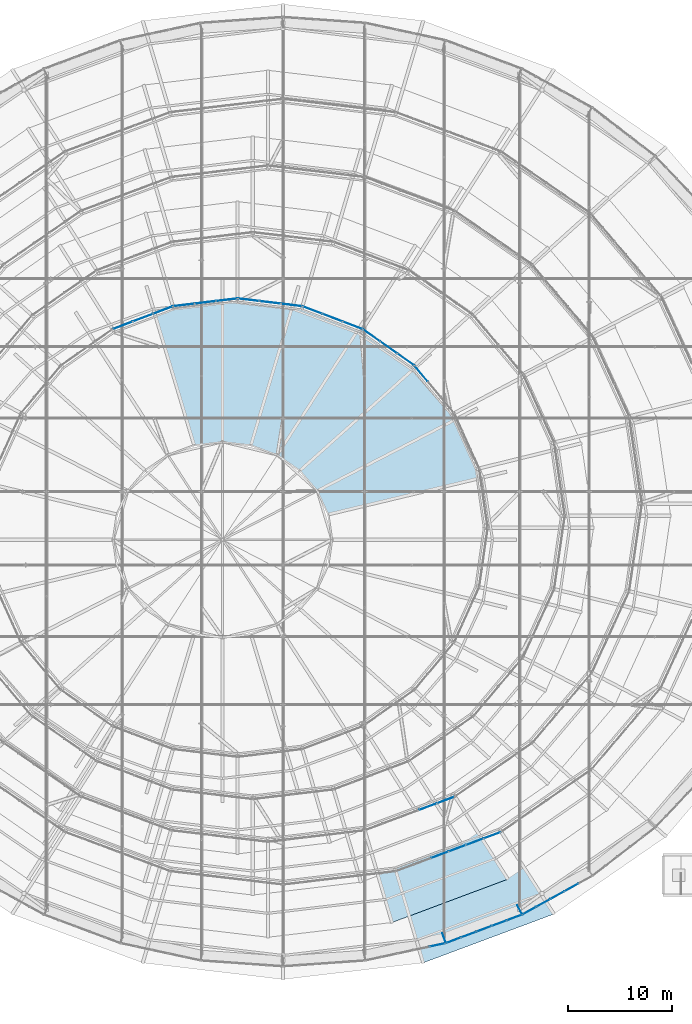
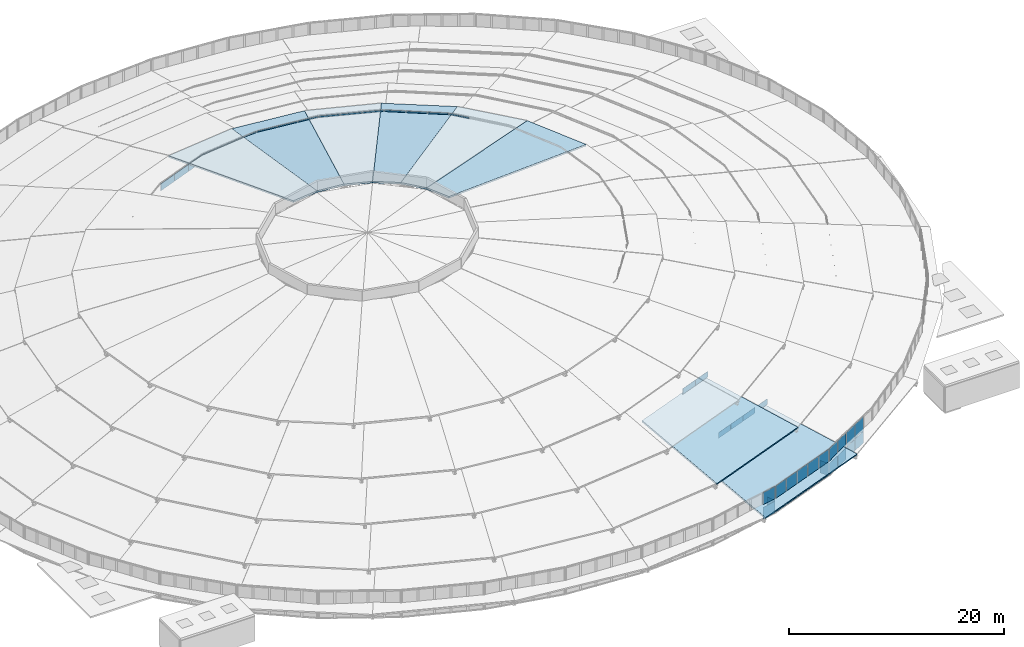
# One storey, part 149 of 173: 44 plates, 8 slabs, 14 elements without a shape of their own.
"""IFC4 building model written with IfcOpenShell, lengths in metres."""

from ifc_helpers import new_model, si_unit, direction, frame, origin, origin_2d, place, context, subcontext, project, spatial, polyline, rectangle, outline, extrude, material, layer, layer_set, type_object, element, aggregate, save


model = new_model("IFC4")

# Units and contexts
model_context = context("Model", 3, precision=1e-05, world=origin(), true_north=direction((0.0, 1.0)))
body_context = subcontext(model_context, "Body", "Model", "MODEL_VIEW")
ifc_project = project(units=[si_unit("LENGTHUNIT", "METRE"), si_unit("AREAUNIT", "SQUARE_METRE"), si_unit("VOLUMEUNIT", "CUBIC_METRE"), si_unit("PLANEANGLEUNIT", "RADIAN"), si_unit("MASSUNIT", "GRAM", prefix="KILO")], contexts=[model_context])

# Site, building, storey
site_placement = place(None, origin())
site = spatial("IfcSite", under=ifc_project, at=site_placement, CompositionType="ELEMENT")
building_placement = place(site_placement, origin())
building = spatial("IfcBuilding", under=site, at=building_placement, Name="Glasvene Arena", CompositionType="ELEMENT")
storey_placement = place(building_placement, frame((0.0, 0.0, 28.800048828125)))
storey = spatial("IfcBuildingStorey", under=building, at=storey_placement, Name="RF", CompositionType="ELEMENT", Elevation=28.800048828125)

# Curtain wall, plates
ifc_material_1 = material(Name="Low-emissivity laminated double glazing", Category="glass")
curtain_wall_type_1 = type_object("IfcCurtainWallType", Name="CW-PET1-1077x75", PredefinedType="USERDEFINED", material=ifc_material_1)
curtain_wall_1_placement = place(storey_placement, frame((102.83154296875, 36.584716796875, 0.0)))
curtain_wall_1 = element("IfcCurtainWall", 1, at=curtain_wall_1_placement, inside=storey, type_object=curtain_wall_type_1, Name="Petal ring 1-2 clerestory curtain wall 20", ObjectType="CURTAIN WALL", PredefinedType="USERDEFINED")
ifc_layer_1 = layer(ifc_material_1, 0.028076171875)
ifc_layer_set_1 = layer_set([ifc_layer_1], Name="Low-emissivity laminated double glazing")
plate_type_1 = type_object("IfcPlateType", Name="CW-GLZ-28", PredefinedType="CURTAIN_PANEL", material=ifc_layer_set_1)
plate_1_placement = place(storey_placement, frame((107.037109375, 38.15380859375, 2.6298828125), z_axis=(0.0, 0.0, 1.0), x_axis=(0.936902411354, 0.349591006176, 0.0)))
plate_1 = element("IfcPlate", 2, at=plate_1_placement, type_object=plate_type_1, Name="CW-085 panel 3.1", PredefinedType="CURTAIN_PANEL", context=body_context, shape_type="SweptSolid", body=[
    extrude(rectangle(XDim=1.74560546875, YDim=0.028076171875, at=origin_2d()), origin(), (0.0, 0.0, 1.0), 0.64990234375),
])
plate_2_placement = place(storey_placement, frame((108.719482421875, 38.781494140625, 2.6298828125), z_axis=(0.0, 0.0, 1.0), x_axis=(0.936902411354, 0.349591006176, 0.0)))
plate_2 = element("IfcPlate", 3, at=plate_2_placement, type_object=plate_type_1, Name="CW-085 panel 4.1", PredefinedType="CURTAIN_PANEL", context=body_context, shape_type="SweptSolid", body=[
    extrude(rectangle(XDim=1.74560546875, YDim=0.028076171875, at=origin_2d()), origin(), (0.0, 0.0, 1.0), 0.64990234375),
])
plate_3_placement = place(storey_placement, frame((110.401611328125, 39.4091796875, 2.6298828125), z_axis=(0.0, 0.0, 1.0), x_axis=(0.936902411354, 0.349591006176, 0.0)))
plate_3 = element("IfcPlate", 4, at=plate_3_placement, type_object=plate_type_1, Name="CW-085 panel 5.1", PredefinedType="CURTAIN_PANEL", context=body_context, shape_type="SweptSolid", body=[
    extrude(rectangle(XDim=1.74560546875, YDim=0.028076171875, at=origin_2d()), origin(), (0.0, 0.0, 1.0), 0.64990234375),
])
plate_4_placement = place(storey_placement, frame((112.072265625, 40.032470703125, 2.6298828125), z_axis=(0.0, 0.0, 1.0), x_axis=(0.936902411354, 0.349591006176, 0.0)))
plate_4 = element("IfcPlate", 5, at=plate_4_placement, type_object=plate_type_1, Name="CW-085 panel 6.1", PredefinedType="CURTAIN_PANEL", context=body_context, shape_type="SweptSolid", body=[
    extrude(rectangle(XDim=1.720458984375, YDim=0.028076171875, at=origin_2d()), origin(), (0.0, 0.0, 1.0), 0.64990234375),
])
aggregate(curtain_wall_1, [plate_1, plate_2, plate_3, plate_4])

curtain_wall_type_2 = type_object("IfcCurtainWallType", Name="CW-PET2-925x75", PredefinedType="USERDEFINED", material=ifc_material_1)
curtain_wall_2_placement = place(storey_placement, frame((99.841552734375, 40.505615234375, 0.0)))
curtain_wall_2 = element("IfcCurtainWall", 6, at=curtain_wall_2_placement, inside=storey, type_object=curtain_wall_type_2, Name="Petal ring 2-3 clerestory curtain wall 20", ObjectType="CURTAIN WALL", PredefinedType="USERDEFINED")
plate_5_placement = place(storey_placement, frame((105.902587890625, 42.77490234375, 5.22998046875), z_axis=(0.0, 0.0, 1.0), x_axis=(0.936510409342, 0.350639776971, 0.0)))
plate_5 = element("IfcPlate", 7, at=plate_5_placement, type_object=plate_type_1, Name="CW-091 panel 4.1", PredefinedType="CURTAIN_PANEL", context=body_context, shape_type="SweptSolid", body=[
    extrude(rectangle(XDim=1.799072265625, YDim=0.028076171875, at=origin_2d()), origin(), (0.0, 0.0, 1.0), 0.64990234375),
])
plate_6_placement = place(storey_placement, frame((107.62255859375, 43.4189453125, 5.22998046875), z_axis=(0.0, 0.0, 1.0), x_axis=(0.936510409342, 0.350639776971, 0.0)))
plate_6 = element("IfcPlate", 8, at=plate_6_placement, type_object=plate_type_1, Name="CW-091 panel 5.1", PredefinedType="CURTAIN_PANEL", context=body_context, shape_type="SweptSolid", body=[
    extrude(rectangle(XDim=1.774169921875, YDim=0.028076171875, at=origin_2d()), origin(), (0.0, 0.0, 1.0), 0.64990234375),
])
aggregate(curtain_wall_2, [plate_5, plate_6])

# Curtain wall, plate
curtain_wall_type_3 = type_object("IfcCurtainWallType", Name="CW-PET4-594x92", PredefinedType="USERDEFINED", material=ifc_material_1)
curtain_wall_3_placement = place(storey_placement, frame((108.4345703125, 80.550048828125, 0.0)))
curtain_wall_3 = element("IfcCurtainWall", 9, at=curtain_wall_3_placement, inside=storey, type_object=curtain_wall_type_3, Name="Petal ring 4-5 clerestory curtain wall 03", ObjectType="CURTAIN WALL", PredefinedType="USERDEFINED")
plate_7_placement = place(storey_placement, frame((105.264404296875, 84.33740234375, 10.580078125), z_axis=(0.0, 0.0, 1.0), x_axis=(-0.64187958935, 0.766805446496, 0.0)))
plate_7 = element("IfcPlate", 10, at=plate_7_placement, type_object=plate_type_1, Name="CW-101 panel 3.1", PredefinedType="CURTAIN_PANEL", context=body_context, shape_type="SweptSolid", body=[
    extrude(rectangle(XDim=1.90576171875, YDim=0.028076171875, at=origin_2d()), origin(), (0.0, 0.0, 1.0), 0.81591796875),
])
aggregate(curtain_wall_3, [plate_7])

# Curtain wall, plates
curtain_wall_type_4 = type_object("IfcCurtainWallType", Name="CW-PET4-608x92", PredefinedType="USERDEFINED", material=ifc_material_1)
curtain_wall_4_placement = place(storey_placement, frame((104.62060546875, 85.106201171875, 0.0)))
curtain_wall_4 = element("IfcCurtainWall", 11, at=curtain_wall_4_placement, inside=storey, type_object=curtain_wall_type_4, Name="Petal ring 4-5 clerestory curtain wall 04", ObjectType="CURTAIN WALL", PredefinedType="USERDEFINED")
plate_8_placement = place(storey_placement, frame((103.781982421875, 85.6962890625, 10.580078125), z_axis=(0.0, 0.0, 1.0), x_axis=(-0.817924864707, 0.575325052204, 0.0)))
plate_8 = element("IfcPlate", 12, at=plate_8_placement, type_object=plate_type_1, Name="CW-102 panel 1.1", PredefinedType="CURTAIN_PANEL", context=body_context, shape_type="SweptSolid", body=[
    extrude(rectangle(XDim=1.95068359375, YDim=0.028076171875, at=origin_2d()), origin(), (0.0, 0.0, 1.0), 0.81591796875),
])
plate_9_placement = place(storey_placement, frame((102.13525390625, 86.8544921875, 10.580078125), z_axis=(0.0, 0.0, 1.0), x_axis=(-0.817924864707, 0.575325052204, 0.0)))
plate_9 = element("IfcPlate", 13, at=plate_9_placement, type_object=plate_type_1, Name="CW-102 panel 2.1", PredefinedType="CURTAIN_PANEL", context=body_context, shape_type="SweptSolid", body=[
    extrude(rectangle(XDim=1.9755859375, YDim=0.028076171875, at=origin_2d()), origin(), (0.0, 0.0, 1.0), 0.81591796875),
])
plate_10_placement = place(storey_placement, frame((100.48876953125, 88.0126953125, 10.580078125), z_axis=(0.0, 0.0, 1.0), x_axis=(-0.817924864707, 0.575325052204, 0.0)))
plate_10 = element("IfcPlate", 14, at=plate_10_placement, type_object=plate_type_1, Name="CW-102 panel 3.1", PredefinedType="CURTAIN_PANEL", context=body_context, shape_type="SweptSolid", body=[
    extrude(rectangle(XDim=1.95068359375, YDim=0.028076171875, at=origin_2d()), origin(), (0.0, 0.0, 1.0), 0.81591796875),
])
aggregate(curtain_wall_4, [plate_8, plate_9, plate_10])

curtain_wall_type_5 = type_object("IfcCurtainWallType", Name="CW-PET4-619x92", PredefinedType="USERDEFINED", material=ifc_material_1)
curtain_wall_5_placement = place(storey_placement, frame((99.64990234375, 88.6025390625, 0.0)))
curtain_wall_5 = element("IfcCurtainWall", 15, at=curtain_wall_5_placement, inside=storey, type_object=curtain_wall_type_5, Name="Petal ring 4-5 clerestory curtain wall 05", ObjectType="CURTAIN WALL", PredefinedType="USERDEFINED")
plate_11_placement = place(storey_placement, frame((98.673583984375, 88.973388671875, 10.580078125), z_axis=(0.0, 0.0, 1.0), x_axis=(-0.934877615197, 0.354970202415, 0.0)))
plate_11 = element("IfcPlate", 16, at=plate_11_placement, type_object=plate_type_1, Name="CW-103 panel 1.1", PredefinedType="CURTAIN_PANEL", context=body_context, shape_type="SweptSolid", body=[
    extrude(rectangle(XDim=1.98876953125, YDim=0.028076171875, at=origin_2d()), origin(), (0.0, 0.0, 1.0), 0.81591796875),
])
plate_12_placement = place(storey_placement, frame((96.755859375, 89.701416015625, 10.580078125), z_axis=(0.0, 0.0, 1.0), x_axis=(-0.934877615197, 0.354970202415, 0.0)))
plate_12 = element("IfcPlate", 17, at=plate_12_placement, type_object=plate_type_1, Name="CW-103 panel 2.1", PredefinedType="CURTAIN_PANEL", context=body_context, shape_type="SweptSolid", body=[
    extrude(rectangle(XDim=2.013916015625, YDim=0.028076171875, at=origin_2d()), origin(), (0.0, 0.0, 1.0), 0.81591796875),
])
plate_13_placement = place(storey_placement, frame((94.838134765625, 90.4296875, 10.580078125), z_axis=(0.0, 0.0, 1.0), x_axis=(-0.934877615197, 0.354970202415, 0.0)))
plate_13 = element("IfcPlate", 18, at=plate_13_placement, type_object=plate_type_1, Name="CW-103 panel 3.1", PredefinedType="CURTAIN_PANEL", context=body_context, shape_type="SweptSolid", body=[
    extrude(rectangle(XDim=1.98876953125, YDim=0.028076171875, at=origin_2d()), origin(), (0.0, 0.0, 1.0), 0.81591796875),
])
aggregate(curtain_wall_5, [plate_11, plate_12, plate_13])

curtain_wall_type_6 = type_object("IfcCurtainWallType", Name="CW-PET4-626x92", PredefinedType="USERDEFINED", material=ifc_material_1)
curtain_wall_6_placement = place(storey_placement, frame((93.86181640625, 90.80029296875, 0.0)))
curtain_wall_6 = element("IfcCurtainWall", 19, at=curtain_wall_6_placement, inside=storey, type_object=curtain_wall_type_6, Name="Petal ring 4-5 clerestory curtain wall 06", ObjectType="CURTAIN WALL", PredefinedType="USERDEFINED")
plate_14_placement = place(storey_placement, frame((92.81396484375, 90.9267578125, 10.580078125), z_axis=(0.0, 0.0, 1.0), x_axis=(-0.992797284705, 0.119806308194, 0.0)))
plate_14 = element("IfcPlate", 20, at=plate_14_placement, type_object=plate_type_1, Name="CW-104 panel 1.1", PredefinedType="CURTAIN_PANEL", context=body_context, shape_type="SweptSolid", body=[
    extrude(rectangle(XDim=2.010498046875, YDim=0.028076171875, at=origin_2d()), origin(), (0.0, 0.0, 1.0), 0.81591796875),
])
plate_15_placement = place(storey_placement, frame((90.755859375, 91.17529296875, 10.580078125), z_axis=(0.0, 0.0, 1.0), x_axis=(-0.992797284705, 0.119806308194, 0.0)))
plate_15 = element("IfcPlate", 21, at=plate_15_placement, type_object=plate_type_1, Name="CW-104 panel 2.1", PredefinedType="CURTAIN_PANEL", context=body_context, shape_type="SweptSolid", body=[
    extrude(rectangle(XDim=2.03564453125, YDim=0.028076171875, at=origin_2d()), origin(), (0.0, 0.0, 1.0), 0.81591796875),
])
plate_16_placement = place(storey_placement, frame((88.69775390625, 91.423583984375, 10.580078125), z_axis=(0.0, 0.0, 1.0), x_axis=(-0.992797284705, 0.119806308194, 0.0)))
plate_16 = element("IfcPlate", 22, at=plate_16_placement, type_object=plate_type_1, Name="CW-104 panel 3.1", PredefinedType="CURTAIN_PANEL", context=body_context, shape_type="SweptSolid", body=[
    extrude(rectangle(XDim=2.010498046875, YDim=0.028076171875, at=origin_2d()), origin(), (0.0, 0.0, 1.0), 0.81591796875),
])
aggregate(curtain_wall_6, [plate_14, plate_15, plate_16])

curtain_wall_7_placement = place(storey_placement, frame((87.64990234375, 91.550048828125, 0.0)))
curtain_wall_7 = element("IfcCurtainWall", 23, at=curtain_wall_7_placement, inside=storey, type_object=curtain_wall_type_6, Name="Petal ring 4-5 clerestory curtain wall 07", ObjectType="CURTAIN WALL", PredefinedType="USERDEFINED")
plate_17_placement = place(storey_placement, frame((86.602294921875, 91.423583984375, 10.580078125), z_axis=(0.0, 0.0, 1.0), x_axis=(-0.992797284705, -0.119806308194, 0.0)))
plate_17 = element("IfcPlate", 24, at=plate_17_placement, type_object=plate_type_1, Name="CW-104 panel 1.1", PredefinedType="CURTAIN_PANEL", context=body_context, shape_type="SweptSolid", body=[
    extrude(rectangle(XDim=2.010498046875, YDim=0.028076171875, at=origin_2d()), origin(), (0.0, 0.0, 1.0), 0.81591796875),
])
plate_18_placement = place(storey_placement, frame((84.544189453125, 91.17529296875, 10.580078125), z_axis=(0.0, 0.0, 1.0), x_axis=(-0.992797284705, -0.119806308194, 0.0)))
plate_18 = element("IfcPlate", 25, at=plate_18_placement, type_object=plate_type_1, Name="CW-104 panel 2.1", PredefinedType="CURTAIN_PANEL", context=body_context, shape_type="SweptSolid", body=[
    extrude(rectangle(XDim=2.03564453125, YDim=0.028076171875, at=origin_2d()), origin(), (0.0, 0.0, 1.0), 0.81591796875),
])
plate_19_placement = place(storey_placement, frame((82.486083984375, 90.9267578125, 10.580078125), z_axis=(0.0, 0.0, 1.0), x_axis=(-0.992797284705, -0.119806308194, 0.0)))
plate_19 = element("IfcPlate", 26, at=plate_19_placement, type_object=plate_type_1, Name="CW-104 panel 3.1", PredefinedType="CURTAIN_PANEL", context=body_context, shape_type="SweptSolid", body=[
    extrude(rectangle(XDim=2.010498046875, YDim=0.028076171875, at=origin_2d()), origin(), (0.0, 0.0, 1.0), 0.81591796875),
])
aggregate(curtain_wall_7, [plate_17, plate_18, plate_19])

curtain_wall_8_placement = place(storey_placement, frame((81.438232421875, 90.80029296875, 0.0)))
curtain_wall_8 = element("IfcCurtainWall", 27, at=curtain_wall_8_placement, inside=storey, type_object=curtain_wall_type_5, Name="Petal ring 4-5 clerestory curtain wall 08", ObjectType="CURTAIN WALL", PredefinedType="USERDEFINED")
plate_20_placement = place(storey_placement, frame((80.4619140625, 90.4296875, 10.580078125), z_axis=(0.0, 0.0, 1.0), x_axis=(-0.934877615197, -0.354970202415, 0.0)))
plate_20 = element("IfcPlate", 28, at=plate_20_placement, type_object=plate_type_1, Name="CW-103 panel 1.1", PredefinedType="CURTAIN_PANEL", context=body_context, shape_type="SweptSolid", body=[
    extrude(rectangle(XDim=1.98876953125, YDim=0.028076171875, at=origin_2d()), origin(), (0.0, 0.0, 1.0), 0.81591796875),
])
plate_21_placement = place(storey_placement, frame((78.544189453125, 89.701416015625, 10.580078125), z_axis=(0.0, 0.0, 1.0), x_axis=(-0.934877615197, -0.354970202415, 0.0)))
plate_21 = element("IfcPlate", 29, at=plate_21_placement, type_object=plate_type_1, Name="CW-103 panel 2.1", PredefinedType="CURTAIN_PANEL", context=body_context, shape_type="SweptSolid", body=[
    extrude(rectangle(XDim=2.013916015625, YDim=0.028076171875, at=origin_2d()), origin(), (0.0, 0.0, 1.0), 0.81591796875),
])
plate_22_placement = place(storey_placement, frame((76.62646484375, 88.973388671875, 10.580078125), z_axis=(0.0, 0.0, 1.0), x_axis=(-0.934877615197, -0.354970202415, 0.0)))
plate_22 = element("IfcPlate", 30, at=plate_22_placement, type_object=plate_type_1, Name="CW-103 panel 3.1", PredefinedType="CURTAIN_PANEL", context=body_context, shape_type="SweptSolid", body=[
    extrude(rectangle(XDim=1.98876953125, YDim=0.028076171875, at=origin_2d()), origin(), (0.0, 0.0, 1.0), 0.81591796875),
])
aggregate(curtain_wall_8, [plate_20, plate_21, plate_22])

curtain_wall_type_7 = type_object("IfcCurtainWallType", Name="CW-DRUM-789x310", PredefinedType="USERDEFINED", material=ifc_material_1)
curtain_wall_9_placement = place(storey_placement, frame((99.90771484375, 28.0107421875, 0.0)))
curtain_wall_9 = element("IfcCurtainWall", 31, at=curtain_wall_9_placement, inside=storey, type_object=curtain_wall_type_7, Name="Crown compression-ring fascia curtain wall 32", ObjectType="CURTAIN WALL", PredefinedType="USERDEFINED")
ifc_material_2 = material(Name="Insulated shadow-box spandrel panel")
ifc_layer_2 = layer(ifc_material_2, 0.02392578125)
ifc_layer_set_2 = layer_set([ifc_layer_2], Name="Insulated shadow-box spandrel panel")
plate_type_2 = type_object("IfcPlateType", Name="CW-SPN-24", PredefinedType="CURTAIN_PANEL", material=ifc_layer_set_2)
plate_23_placement = place(storey_placement, frame((106.83740234375, 29.510009765625, -1.330078125), z_axis=(0.0, 0.0, 1.0), x_axis=(0.977389964658, 0.211444690135, 0.0)))
plate_23 = element("IfcPlate", 32, at=plate_23_placement, type_object=plate_type_2, Name="CW-079 panel 5.1", PredefinedType="CURTAIN_PANEL", context=body_context, shape_type="SweptSolid", body=[
    extrude(rectangle(XDim=1.503173828125, YDim=0.02392578125, at=origin_2d()), origin(), (0.0, 0.0, 1.0), 1.324951171875),
])
plate_24_placement = place(storey_placement, frame((106.83740234375, 29.510009765625, 0.044921875), z_axis=(0.0, 0.0, 1.0), x_axis=(0.977389964658, 0.211444690135, 0.0)))
plate_24 = element("IfcPlate", 33, at=plate_24_placement, type_object=plate_type_2, Name="CW-079 panel 5.2", PredefinedType="CURTAIN_PANEL", context=body_context, shape_type="SweptSolid", body=[
    extrude(rectangle(XDim=1.503173828125, YDim=0.02392578125, at=origin_2d()), origin(), (0.0, 0.0, 1.0), 1.625),
])
aggregate(curtain_wall_9, [plate_23, plate_24])

curtain_wall_type_8 = type_object("IfcCurtainWallType", Name="CW-DRUM-782x310", PredefinedType="USERDEFINED", material=ifc_material_1)
curtain_wall_10_placement = place(storey_placement, frame((107.620849609375, 29.679443359375, 0.0)))
curtain_wall_10 = element("IfcCurtainWall", 34, at=curtain_wall_10_placement, inside=storey, type_object=curtain_wall_type_8, Name="Crown compression-ring fascia curtain wall 33", ObjectType="CURTAIN WALL", PredefinedType="USERDEFINED")
plate_25_placement = place(storey_placement, frame((108.365234375, 29.957275390625, -1.330078125), z_axis=(0.0, 0.0, 1.0), x_axis=(0.936868153311, 0.349682803856, 0.0)))
plate_25 = element("IfcPlate", 35, at=plate_25_placement, type_object=plate_type_2, Name="CW-078 panel 1.1", PredefinedType="CURTAIN_PANEL", context=body_context, shape_type="SweptSolid", body=[
    extrude(rectangle(XDim=1.489501953125, YDim=0.02392578125, at=origin_2d()), origin(), (0.0, 0.0, 1.0), 1.324951171875),
])
plate_26_placement = place(storey_placement, frame((108.365234375, 29.957275390625, 0.044921875), z_axis=(0.0, 0.0, 1.0), x_axis=(0.936868153311, 0.349682803856, 0.0)))
plate_26 = element("IfcPlate", 36, at=plate_26_placement, type_object=plate_type_2, Name="CW-078 panel 1.2", PredefinedType="CURTAIN_PANEL", context=body_context, shape_type="SweptSolid", body=[
    extrude(rectangle(XDim=1.489501953125, YDim=0.02392578125, at=origin_2d()), origin(), (0.0, 0.0, 1.0), 1.625),
])
plate_27_placement = place(storey_placement, frame((109.8193359375, 30.5, -1.330078125), z_axis=(0.0, 0.0, 1.0), x_axis=(0.936868153311, 0.349682803856, 0.0)))
plate_27 = element("IfcPlate", 37, at=plate_27_placement, type_object=plate_type_2, Name="CW-078 panel 2.1", PredefinedType="CURTAIN_PANEL", context=body_context, shape_type="SweptSolid", body=[
    extrude(rectangle(XDim=1.514404296875, YDim=0.02392578125, at=origin_2d()), origin(), (0.0, 0.0, 1.0), 1.324951171875),
])
plate_28_placement = place(storey_placement, frame((109.8193359375, 30.5, 0.044921875), z_axis=(0.0, 0.0, 1.0), x_axis=(0.936868153311, 0.349682803856, 0.0)))
plate_28 = element("IfcPlate", 38, at=plate_28_placement, type_object=plate_type_2, Name="CW-078 panel 2.2", PredefinedType="CURTAIN_PANEL", context=body_context, shape_type="SweptSolid", body=[
    extrude(rectangle(XDim=1.514404296875, YDim=0.02392578125, at=origin_2d()), origin(), (0.0, 0.0, 1.0), 1.625),
])
plate_29_placement = place(storey_placement, frame((111.284912109375, 31.047119140625, -1.330078125), z_axis=(0.0, 0.0, 1.0), x_axis=(0.936868153311, 0.349682803856, 0.0)))
plate_29 = element("IfcPlate", 39, at=plate_29_placement, type_object=plate_type_2, Name="CW-078 panel 3.1", PredefinedType="CURTAIN_PANEL", context=body_context, shape_type="SweptSolid", body=[
    extrude(rectangle(XDim=1.514404296875, YDim=0.02392578125, at=origin_2d()), origin(), (0.0, 0.0, 1.0), 1.324951171875),
])
plate_30_placement = place(storey_placement, frame((111.284912109375, 31.047119140625, 0.044921875), z_axis=(0.0, 0.0, 1.0), x_axis=(0.936868153311, 0.349682803856, 0.0)))
plate_30 = element("IfcPlate", 40, at=plate_30_placement, type_object=plate_type_2, Name="CW-078 panel 3.2", PredefinedType="CURTAIN_PANEL", context=body_context, shape_type="SweptSolid", body=[
    extrude(rectangle(XDim=1.514404296875, YDim=0.02392578125, at=origin_2d()), origin(), (0.0, 0.0, 1.0), 1.625),
])
plate_31_placement = place(storey_placement, frame((112.750732421875, 31.593994140625, -1.330078125), z_axis=(0.0, 0.0, 1.0), x_axis=(0.936868153311, 0.349682803856, 0.0)))
plate_31 = element("IfcPlate", 41, at=plate_31_placement, type_object=plate_type_2, Name="CW-078 panel 4.1", PredefinedType="CURTAIN_PANEL", context=body_context, shape_type="SweptSolid", body=[
    extrude(rectangle(XDim=1.514404296875, YDim=0.02392578125, at=origin_2d()), origin(), (0.0, 0.0, 1.0), 1.324951171875),
])
plate_32_placement = place(storey_placement, frame((112.750732421875, 31.593994140625, 0.044921875), z_axis=(0.0, 0.0, 1.0), x_axis=(0.936868153311, 0.349682803856, 0.0)))
plate_32 = element("IfcPlate", 42, at=plate_32_placement, type_object=plate_type_2, Name="CW-078 panel 4.2", PredefinedType="CURTAIN_PANEL", context=body_context, shape_type="SweptSolid", body=[
    extrude(rectangle(XDim=1.514404296875, YDim=0.02392578125, at=origin_2d()), origin(), (0.0, 0.0, 1.0), 1.625),
])
plate_33_placement = place(storey_placement, frame((114.20458984375, 32.13671875, -1.330078125), z_axis=(0.0, 0.0, 1.0), x_axis=(0.936868153311, 0.349682803856, 0.0)))
plate_33 = element("IfcPlate", 43, at=plate_33_placement, type_object=plate_type_2, Name="CW-078 panel 5.1", PredefinedType="CURTAIN_PANEL", context=body_context, shape_type="SweptSolid", body=[
    extrude(rectangle(XDim=1.489501953125, YDim=0.02392578125, at=origin_2d()), origin(), (0.0, 0.0, 1.0), 1.324951171875),
])
plate_34_placement = place(storey_placement, frame((114.20458984375, 32.13671875, 0.044921875), z_axis=(0.0, 0.0, 1.0), x_axis=(0.936868153311, 0.349682803856, 0.0)))
plate_34 = element("IfcPlate", 44, at=plate_34_placement, type_object=plate_type_2, Name="CW-078 panel 5.2", PredefinedType="CURTAIN_PANEL", context=body_context, shape_type="SweptSolid", body=[
    extrude(rectangle(XDim=1.489501953125, YDim=0.02392578125, at=origin_2d()), origin(), (0.0, 0.0, 1.0), 1.625),
])
aggregate(curtain_wall_10, [plate_25, plate_26, plate_27, plate_28, plate_29, plate_30, plate_31, plate_32, plate_33, plate_34])

curtain_wall_type_9 = type_object("IfcCurtainWallType", Name="CW-DRUM-773x310", PredefinedType="USERDEFINED", material=ifc_material_1)
curtain_wall_11_placement = place(storey_placement, frame((114.94921875, 32.414794921875, 0.0)))
curtain_wall_11 = element("IfcCurtainWall", 45, at=curtain_wall_11_placement, inside=storey, type_object=curtain_wall_type_9, Name="Crown compression-ring fascia curtain wall 34", ObjectType="CURTAIN WALL", PredefinedType="USERDEFINED")
plate_35_placement = place(storey_placement, frame((115.636474609375, 32.794189453125, -1.330078125), z_axis=(0.0, 0.0, 1.0), x_axis=(0.875406591103, 0.483387319086, 0.0)))
plate_35 = element("IfcPlate", 46, at=plate_35_placement, type_object=plate_type_2, Name="CW-077 panel 1.1", PredefinedType="CURTAIN_PANEL", context=body_context, shape_type="SweptSolid", body=[
    extrude(rectangle(XDim=1.47021484375, YDim=0.02392578125, at=origin_2d()), origin(), (0.0, 0.0, 1.0), 1.324951171875),
])
plate_36_placement = place(storey_placement, frame((115.636474609375, 32.794189453125, 0.044921875), z_axis=(0.0, 0.0, 1.0), x_axis=(0.875406591103, 0.483387319086, 0.0)))
plate_36 = element("IfcPlate", 47, at=plate_36_placement, type_object=plate_type_2, Name="CW-077 panel 1.2", PredefinedType="CURTAIN_PANEL", context=body_context, shape_type="SweptSolid", body=[
    extrude(rectangle(XDim=1.47021484375, YDim=0.02392578125, at=origin_2d()), origin(), (0.0, 0.0, 1.0), 1.625),
])
plate_37_placement = place(storey_placement, frame((116.978271484375, 33.53515625, -1.330078125), z_axis=(0.0, 0.0, 1.0), x_axis=(0.875406591103, 0.483387319086, 0.0)))
plate_37 = element("IfcPlate", 48, at=plate_37_placement, type_object=plate_type_2, Name="CW-077 panel 2.1", PredefinedType="CURTAIN_PANEL", context=body_context, shape_type="SweptSolid", body=[
    extrude(rectangle(XDim=1.4951171875, YDim=0.02392578125, at=origin_2d()), origin(), (0.0, 0.0, 1.0), 1.324951171875),
])
plate_38_placement = place(storey_placement, frame((116.978271484375, 33.53515625, 0.044921875), z_axis=(0.0, 0.0, 1.0), x_axis=(0.875406591103, 0.483387319086, 0.0)))
plate_38 = element("IfcPlate", 49, at=plate_38_placement, type_object=plate_type_2, Name="CW-077 panel 2.2", PredefinedType="CURTAIN_PANEL", context=body_context, shape_type="SweptSolid", body=[
    extrude(rectangle(XDim=1.4951171875, YDim=0.02392578125, at=origin_2d()), origin(), (0.0, 0.0, 1.0), 1.625),
])
plate_39_placement = place(storey_placement, frame((118.330810546875, 34.281982421875, -1.330078125), z_axis=(0.0, 0.0, 1.0), x_axis=(0.875406591103, 0.483387319086, 0.0)))
plate_39 = element("IfcPlate", 50, at=plate_39_placement, type_object=plate_type_2, Name="CW-077 panel 3.1", PredefinedType="CURTAIN_PANEL", context=body_context, shape_type="SweptSolid", body=[
    extrude(rectangle(XDim=1.4951171875, YDim=0.02392578125, at=origin_2d()), origin(), (0.0, 0.0, 1.0), 1.324951171875),
])
plate_40_placement = place(storey_placement, frame((118.330810546875, 34.281982421875, 0.044921875), z_axis=(0.0, 0.0, 1.0), x_axis=(0.875406591103, 0.483387319086, 0.0)))
plate_40 = element("IfcPlate", 51, at=plate_40_placement, type_object=plate_type_2, Name="CW-077 panel 3.2", PredefinedType="CURTAIN_PANEL", context=body_context, shape_type="SweptSolid", body=[
    extrude(rectangle(XDim=1.4951171875, YDim=0.02392578125, at=origin_2d()), origin(), (0.0, 0.0, 1.0), 1.625),
])
plate_41_placement = place(storey_placement, frame((119.68359375, 35.02880859375, -1.330078125), z_axis=(0.0, 0.0, 1.0), x_axis=(0.875406591103, 0.483387319086, 0.0)))
plate_41 = element("IfcPlate", 52, at=plate_41_placement, type_object=plate_type_2, Name="CW-077 panel 4.1", PredefinedType="CURTAIN_PANEL", context=body_context, shape_type="SweptSolid", body=[
    extrude(rectangle(XDim=1.4951171875, YDim=0.02392578125, at=origin_2d()), origin(), (0.0, 0.0, 1.0), 1.324951171875),
])
plate_42_placement = place(storey_placement, frame((119.68359375, 35.02880859375, 0.044921875), z_axis=(0.0, 0.0, 1.0), x_axis=(0.875406591103, 0.483387319086, 0.0)))
plate_42 = element("IfcPlate", 53, at=plate_42_placement, type_object=plate_type_2, Name="CW-077 panel 4.2", PredefinedType="CURTAIN_PANEL", context=body_context, shape_type="SweptSolid", body=[
    extrude(rectangle(XDim=1.4951171875, YDim=0.02392578125, at=origin_2d()), origin(), (0.0, 0.0, 1.0), 1.625),
])
aggregate(curtain_wall_11, [plate_35, plate_36, plate_37, plate_38, plate_39, plate_40, plate_41, plate_42])

# Plates
ifc_material_3 = material(Name="Steel S355J2", Category="steel")
ifc_layer_3 = layer(ifc_material_3, 0.035888671875)
ifc_layer_set_3 = layer_set([ifc_layer_3], Name="Steel S355J2")
plate_type_3 = type_object("IfcPlateType", Name="PL-CAP-36", PredefinedType="SHEET", material=ifc_layer_set_3)
for number, where, z_axis, x_axis, name in (
    (54, (107.45068359375, 30.202392578125, -1.409912109375), (0.0, 0.0, 1.0), (0.937038411905, 0.349226308593, 0.0), "Ring beam node diaphragm cap plate ND-33"),
    (55, (114.699462890625, 32.90478515625, -1.409912109375), (0.0, 0.0, 1.0), (0.875633171036, 0.482976759048, 0.0), "Ring beam node diaphragm cap plate ND-34"),
):
    element("IfcPlate", number, at=place(storey_placement, frame(where, z_axis=z_axis, x_axis=x_axis)), inside=storey, type_object=plate_type_3, Name=name, PredefinedType="SHEET", context=body_context, shape_type="SweptSolid", body=[
        extrude(rectangle(XDim=0.035888671875, YDim=0.919921875, at=origin_2d()), origin(), (0.0, 0.0, 1.0), 1.419921875),
    ])

# Roof, slab
ifc_material_4 = material(Name="Smooth matte white insulated roof panel")
ifc_layer_4 = layer(ifc_material_4, 0.179931640625)
ifc_layer_set_4 = layer_set([ifc_layer_4], Name="Smooth matte white insulated roof panel")
roof_type = type_object("IfcRoofType", Name="RF-PETAL-ASSY", PredefinedType="PAVILION_ROOF", material=ifc_layer_set_4)
roof_1_placement = place(storey_placement, frame((92.0, 73.0, 0.0)))
roof_1 = element("IfcRoof", 56, at=roof_1_placement, inside=storey, type_object=roof_type, Name="Shifted white elliptical petal roof ring 1", PredefinedType="PAVILION_ROOF")
ifc_material_5 = material(Name="Precast concrete C50/60", Category="concrete")
ifc_layer_5 = layer(ifc_material_5, 0.179931640625)
ifc_layer_set_5 = layer_set([ifc_layer_5], Name="Precast concrete C50/60")
slab_type = type_object("IfcSlabType", Name="SL-PETAL-180", PredefinedType="ROOF", material=ifc_layer_set_5)
slab_1_placement = place(storey_placement, frame((105.45849609375, 27.794677734375, 0.0), z_axis=(0.088876093687, -0.238411353806, 0.967088965063), x_axis=(0.937009571992, 0.349303681624, 2.20372e-07)))
slab_1 = element("IfcSlab", 57, at=slab_1_placement, type_object=slab_type, Name="White petal roof slab ring 1 bay 20", PredefinedType="ROOF", context=body_context, shape_type="SweptSolid", body=[
    extrude(outline(polyline([(0.0, 0.0), (13.384606253981396, 0.0), (11.323951256964206, 9.825548514118093), (0.6420690330386722, 9.825569358369075), (0.0, 0.0)])), origin(), (0.0, 0.0, -1.0), 0.179931640625),
])
aggregate(roof_1, [slab_1])

roof_2_placement = place(storey_placement, frame((90.550048828125, 71.85009765625, 2.550048828125)))
roof_2 = element("IfcRoof", 58, at=roof_2_placement, inside=storey, type_object=roof_type, Name="Shifted white elliptical petal roof ring 2", PredefinedType="PAVILION_ROOF")
slab_2_placement = place(storey_placement, frame((102.468505859375, 31.66748046875, 2.550048828125), z_axis=(0.090548052921, -0.241990819679, 0.966044250179), x_axis=(0.936582673241, 0.350446709479, -8.80892e-07)))
slab_2 = element("IfcSlab", 59, at=slab_2_placement, type_object=slab_type, Name="White petal roof slab ring 2 bay 20", PredefinedType="ROOF", context=body_context, shape_type="SweptSolid", body=[
    extrude(outline(polyline([(0.0, 0.0), (11.858477260696851, 8.881784197001252e-16), (9.82019538287771, 9.868589446986741), (0.6656379827797505, 9.868517806590704), (0.0, 0.0)])), origin(), (0.0, 0.0, -1.0), 0.179931640625),
])
aggregate(roof_2, [slab_2])

# Roof, slabs
roof_3_placement = place(storey_placement, frame((86.199951171875, 68.39990234375, 10.949951171875)))
roof_3 = element("IfcRoof", 60, at=roof_3_placement, inside=storey, type_object=roof_type, Name="Shifted white elliptical petal roof ring 5", PredefinedType="PAVILION_ROOF")
slab_3_placement = place(storey_placement, frame((113.439208984375, 74.922119140625, 10.949951171875), z_axis=(0.13280535426, 0.061563001856, 0.989228353153), x_axis=(-0.42055997343, 0.907264740165, -1.339048e-06)))
slab_3 = element("IfcSlab", 61, at=slab_3_placement, type_object=slab_type, Name="White petal roof slab ring 5 bay 02", PredefinedType="ROOF", context=body_context, shape_type="SweptSolid", body=[
    extrude(outline(polyline([(0.0, 0.0), (6.6991254394021595, 0.0), (5.970667865480534, 17.420735399747652), (3.4763848863744293, 17.420651301055674), (0.0, 0.0)])), origin(), (0.0, 0.0, -1.0), 0.179931640625),
])
slab_4_placement = place(storey_placement, frame((110.621826171875, 81.0, 10.949951171875), z_axis=(0.11397725934, 0.097869623344, 0.988650960238), x_axis=(-0.651463319044, 0.758680132823, 2.67867e-07)))
slab_4 = element("IfcSlab", 62, at=slab_4_placement, type_object=slab_type, Name="White petal roof slab ring 5 bay 03", PredefinedType="ROOF", context=body_context, shape_type="SweptSolid", body=[
    extrude(outline(polyline([(0.0, 0.0), (6.8790444052065, 0.0), (6.547533898381407, 16.974201631789963), (3.986048145711567, 16.97421846463551), (0.0, 0.0)])), origin(), (0.0, 0.0, -1.0), 0.179931640625),
])
slab_5_placement = place(storey_placement, frame((106.140380859375, 86.218994140625, 10.949951171875), z_axis=(0.087399387336, 0.127459219353, 0.987985574032), x_axis=(-0.824723558418, 0.565536075051, -2.482743e-06)))
slab_5 = element("IfcSlab", 63, at=slab_5_placement, type_object=slab_type, Name="White petal roof slab ring 5 bay 04", PredefinedType="ROOF", context=body_context, shape_type="SweptSolid", body=[
    extrude(outline(polyline([(0.0, 0.0), (7.081565121975931, -4.440892098500626e-16), (6.633730770789557, 16.500350676175202), (3.997123948239237, 16.500194556274046), (0.0, 0.0)])), origin(), (0.0, 0.0, -1.0), 0.179931640625),
])
slab_6_placement = place(storey_placement, frame((100.300048828125, 90.223876953125, 10.949951171875), z_axis=(0.054908709492, 0.148343924287, 0.987410306686), x_axis=(-0.937822918482, 0.347114064197, 2.414121e-06)))
slab_6 = element("IfcSlab", 64, at=slab_6_placement, type_object=slab_type, Name="White petal roof slab ring 5 bay 05", PredefinedType="ROOF", context=body_context, shape_type="SweptSolid", body=[
    extrude(outline(polyline([(0.0, 0.0), (7.252188471439812, 0.0), (6.24549129651148, 16.12109674777639), (3.5450627955509746, 16.121248643280104), (0.0, 0.0)])), origin(), (0.0, 0.0, -1.0), 0.179931640625),
])
slab_7_placement = place(storey_placement, frame((93.498779296875, 92.7412109375, 10.949951171875), z_axis=(0.018723366949, 0.15913892186, 0.987078638751), x_axis=(-0.993147489648, 0.116867719221, -3.179031e-06)))
slab_7 = element("IfcSlab", 65, at=slab_7_placement, type_object=slab_type, Name="White petal roof slab ring 5 bay 06", PredefinedType="ROOF", context=body_context, shape_type="SweptSolid", body=[
    extrude(outline(polyline([(0.0, 0.0), (7.349188961604942, 1.1102230246251565e-16), (5.5006679337317586, 15.914383267977927), (2.7644119396567235, 15.914183176676485), (0.0, 0.0)])), origin(), (0.0, 0.0, -1.0), 0.179931640625),
])
slab_8_placement = place(storey_placement, frame((86.199951171875, 93.60009765625, 10.949951171875), z_axis=(-0.018723832156, 0.159138996898, 0.987078617829), x_axis=(-0.993147039063, -0.116871548241, 3.345719e-06)))
slab_8 = element("IfcSlab", 66, at=slab_8_placement, type_object=slab_type, Name="White petal roof slab ring 5 bay 07", PredefinedType="ROOF", context=body_context, shape_type="SweptSolid", body=[
    extrude(outline(polyline([(0.0, 0.0), (7.348946494022114, -1.1102230246251565e-16), (4.584838010349983, 15.914165606171348), (1.8485820170728673, 15.914376183711367), (0.0, 0.0)])), origin(), (0.0, 0.0, -1.0), 0.179931640625),
])
aggregate(roof_3, [slab_3, slab_4, slab_5, slab_6, slab_7, slab_8])

save(model, "model.ifc")
